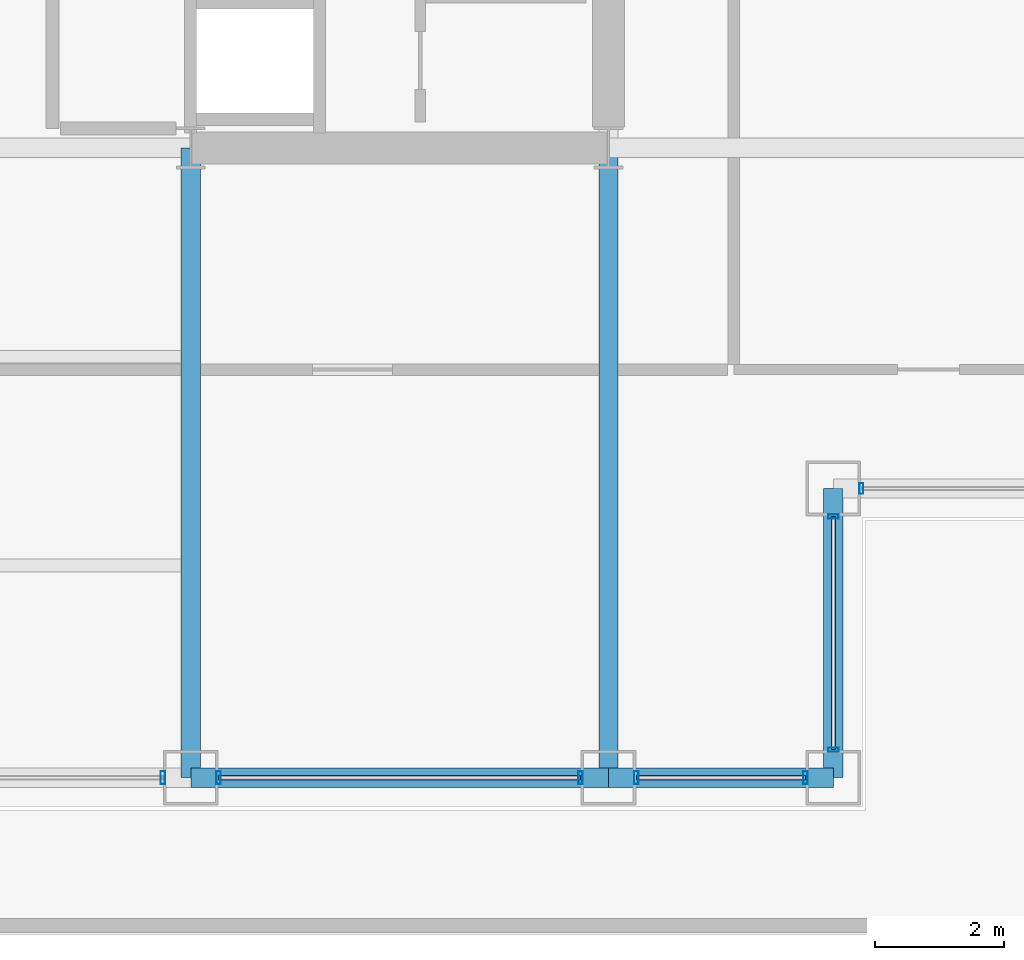
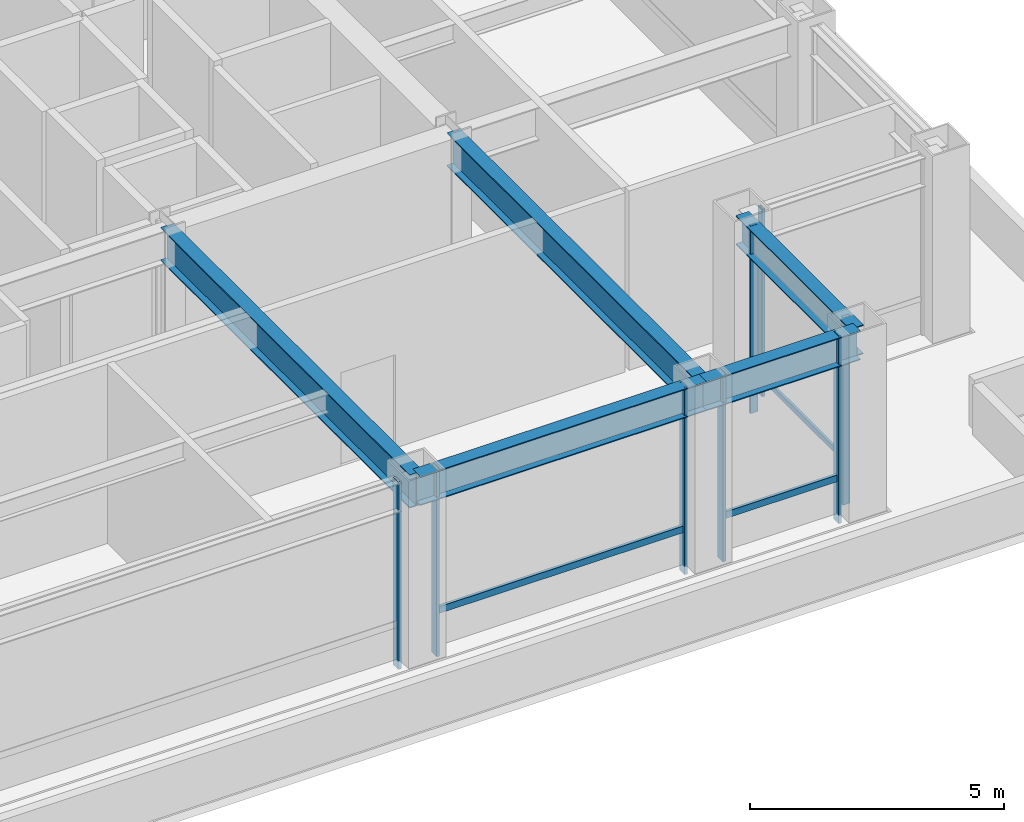
# One storey, part 11 of 32: 11 members, 5 beams, 5 elements without a shape of their own.
"""IFC4 building model written with IfcOpenShell, lengths in metres."""

from ifc_helpers import new_model, si_unit, direction, frame, origin, origin_2d, place, context, subcontext, project, spatial, hollow_rectangle, i_section, extrude, material, layer, layer_set, material_profile, profile_set, type_object, element, aggregate, save


model = new_model("IFC4")

# Units and contexts
model_context = context("Model", 3, precision=1e-05, world=origin(), true_north=direction((0.0, 1.0)))
body_context = subcontext(model_context, "Body", "Model", "MODEL_VIEW")
ifc_project = project(units=[si_unit("LENGTHUNIT", "METRE"), si_unit("AREAUNIT", "SQUARE_METRE"), si_unit("VOLUMEUNIT", "CUBIC_METRE"), si_unit("PLANEANGLEUNIT", "RADIAN"), si_unit("MASSUNIT", "GRAM", prefix="KILO")], contexts=[model_context])

# Site, building, storey
site_placement = place(None, origin())
site = spatial("IfcSite", under=ifc_project, at=site_placement, CompositionType="ELEMENT")
building_placement = place(site_placement, origin())
building = spatial("IfcBuilding", under=site, at=building_placement, Name="Brelmoor Portico Tower", CompositionType="ELEMENT")
storey_placement = place(building_placement, frame((0.0, 0.0, 87.300048828125)))
storey = spatial("IfcBuildingStorey", under=building, at=storey_placement, Name="L22", CompositionType="ELEMENT", Elevation=87.300048828125)

# Beams
ifc_material_1 = material(Name="Steel Q355B", Category="steel")
ifc_material_profile_1 = material_profile(ifc_material_1, i_section(OverallWidth=0.300048828125, OverallDepth=0.800048828125, WebThickness=0.013916015625, FlangeThickness=0.02587890625, at=origin_2d()), Name="HN 800x300x14x26")
ifc_profile_set_1 = profile_set([ifc_material_profile_1], Name="Steel Q355B")
beam_type_1 = type_object("IfcBeamType", Name="BM-PG-800", PredefinedType="BEAM", material=ifc_profile_set_1)
for number, where, z_axis, x_axis, name in (
    (1, (8.050048828125, -19.550048828125, 3.89990234375), (0.0, 1.0, 0.0), (-1.0, 0.0, 0.0), "L22 Primary Floor Girder PG-07"),
    (2, (14.550048828125, -19.550048828125, 3.89990234375), (0.0, 1.0, 0.0), (-1.0, 0.0, 0.0), "L22 Primary Floor Girder PG-09"),
):
    element("IfcBeam", number, at=place(storey_placement, frame(where, z_axis=z_axis, x_axis=x_axis)), inside=storey, type_object=beam_type_1, Name=name, PredefinedType="BEAM", context=body_context, shape_type="SweptSolid", body=[
        extrude(i_section(OverallWidth=0.300048828125, OverallDepth=0.800048828125, WebThickness=0.013916015625, FlangeThickness=0.02587890625, at=origin_2d()), origin(), (0.0, 0.0, 1.0), 9.800048828125),
    ])
ifc_material_profile_2 = material_profile(ifc_material_1, i_section(OverallWidth=0.300048828125, OverallDepth=0.699951171875, WebThickness=0.012939453125, FlangeThickness=0.02392578125, at=origin_2d()), Name="HN 700x300x13x24")
ifc_profile_set_2 = profile_set([ifc_material_profile_2], Name="Steel Q355B")
beam_type_2 = type_object("IfcBeamType", Name="BM-SP-700", PredefinedType="SPANDREL", material=ifc_profile_set_2)
beam_1_placement = place(storey_placement, frame((8.050048828125, -19.550048828125, 3.949951171875), z_axis=(1.0, 0.0, 0.0), x_axis=(0.0, 1.0, 0.0)))
element("IfcBeam", 3, at=beam_1_placement, inside=storey, type_object=beam_type_2, Name="L22 Perimeter Spandrel Beam SP-04", PredefinedType="SPANDREL", context=body_context, shape_type="SweptSolid", body=[
    extrude(i_section(OverallWidth=0.300048828125, OverallDepth=0.699951171875, WebThickness=0.012939453125, FlangeThickness=0.02392578125, at=origin_2d()), origin(), (0.0, 0.0, 1.0), 6.5),
])
beam_2_placement = place(storey_placement, frame((14.550048828125, -19.550048828125, 3.949951171875), z_axis=(1.0, 0.0, 0.0), x_axis=(0.0, 1.0, 0.0)))
element("IfcBeam", 4, at=beam_2_placement, inside=storey, type_object=beam_type_2, Name="L22 Perimeter Spandrel Beam SP-05", PredefinedType="SPANDREL", context=body_context, shape_type="SweptSolid", body=[
    extrude(i_section(OverallWidth=0.300048828125, OverallDepth=0.699951171875, WebThickness=0.012939453125, FlangeThickness=0.02392578125, at=origin_2d()), origin(), (0.0, 0.0, 1.0), 3.5),
])
beam_3_placement = place(storey_placement, frame((18.050048828125, -19.550048828125, 3.949951171875), z_axis=(0.0, 1.0, 0.0), x_axis=(-1.0, 0.0, 0.0)))
element("IfcBeam", 5, at=beam_3_placement, inside=storey, type_object=beam_type_2, Name="L22 Perimeter Spandrel Beam SP-20", PredefinedType="SPANDREL", context=body_context, shape_type="SweptSolid", body=[
    extrude(i_section(OverallWidth=0.300048828125, OverallDepth=0.699951171875, WebThickness=0.012939453125, FlangeThickness=0.02392578125, at=origin_2d()), origin(), (0.0, 0.0, 1.0), 4.5),
])

# Curtain wall, member
ifc_material_2 = material(Name="Anodised Aluminium Alloy 6063-T6", Category="aluminium")
ifc_layer_1 = layer(ifc_material_2, 0.179931640625)
ifc_layer_set_1 = layer_set([ifc_layer_1], Name="Anodised Aluminium Alloy 6063-T6")
curtain_wall_type_1 = type_object("IfcCurtainWallType", Name="CW-NOTCH-CHAMFER", PredefinedType="NOTDEFINED", material=ifc_layer_set_1)
curtain_wall_1_placement = place(storey_placement, origin())
curtain_wall_1 = element("IfcCurtainWall", 6, at=curtain_wall_1_placement, inside=storey, type_object=curtain_wall_type_1, Name="L22 Curtain Wall CWN-L22-SEH", PredefinedType="NOTDEFINED")
ifc_material_profile_3 = material_profile(ifc_material_2, hollow_rectangle(XDim=0.06494140625, YDim=0.1650390625, WallThickness=0.00390625, at=origin_2d()), Name="ALU MULLION 65x165")
ifc_profile_set_3 = profile_set([ifc_material_profile_3], Name="Anodised Aluminium Alloy 6063-T6")
member_type_1 = type_object("IfcMemberType", Name="MB-CW-MULL-165", PredefinedType="MULLION", material=ifc_profile_set_3)
member_1_placement = place(storey_placement, frame((18.485107421875, -15.050048828125, -0.199951171875), z_axis=(0.0, 0.0, 1.0), x_axis=(1.0, 0.0, 0.0)))
member_1 = element("IfcMember", 7, at=member_1_placement, type_object=member_type_1, Name="CWN-L22-SEH Mullion 00", PredefinedType="MULLION", context=body_context, shape_type="SweptSolid", body=[
    extrude(hollow_rectangle(XDim=0.06494140625, YDim=0.1650390625, WallThickness=0.00390625, at=origin_2d()), origin(), (0.0, 0.0, 1.0), 4.5),
])
aggregate(curtain_wall_1, [member_1])

# Curtain wall, members
curtain_wall_2_placement = place(storey_placement, origin())
curtain_wall_2 = element("IfcCurtainWall", 8, at=curtain_wall_2_placement, inside=storey, type_object=curtain_wall_type_1, Name="L22 Curtain Wall CWN-L22-SEV", PredefinedType="NOTDEFINED")
member_2_placement = place(storey_placement, frame((18.050048828125, -19.114990234375, -0.199951171875), z_axis=(0.0, 0.0, 1.0), x_axis=(0.0, 1.0, 0.0)))
member_2 = element("IfcMember", 9, at=member_2_placement, type_object=member_type_1, Name="CWN-L22-SEV Mullion 00", PredefinedType="MULLION", context=body_context, shape_type="SweptSolid", body=[
    extrude(hollow_rectangle(XDim=0.06494140625, YDim=0.1650390625, WallThickness=0.00390625, at=origin_2d()), origin(), (0.0, 0.0, 1.0), 4.5),
])
member_3_placement = place(storey_placement, frame((18.050048828125, -15.485107421875, -0.199951171875), z_axis=(0.0, 0.0, 1.0), x_axis=(0.0, 1.0, 0.0)))
member_3 = element("IfcMember", 10, at=member_3_placement, type_object=member_type_1, Name="CWN-L22-SEV Mullion 01", PredefinedType="MULLION", context=body_context, shape_type="SweptSolid", body=[
    extrude(hollow_rectangle(XDim=0.06494140625, YDim=0.1650390625, WallThickness=0.00390625, at=origin_2d()), origin(), (0.0, 0.0, 1.0), 4.5),
])

# Curtain wall, member
ifc_layer_2 = layer(ifc_material_2, 0.179931640625)
ifc_layer_set_2 = layer_set([ifc_layer_2], Name="Anodised Aluminium Alloy 6063-T6")
curtain_wall_type_2 = type_object("IfcCurtainWallType", Name="CW-SKYLOBBY", PredefinedType="NOTDEFINED", material=ifc_layer_set_2)
curtain_wall_3_placement = place(storey_placement, origin())
curtain_wall_3 = element("IfcCurtainWall", 11, at=curtain_wall_3_placement, inside=storey, type_object=curtain_wall_type_2, Name="L22 Curtain Wall CW-L22-01-3", PredefinedType="NOTDEFINED")
ifc_material_profile_4 = material_profile(ifc_material_2, hollow_rectangle(XDim=0.070068359375, YDim=0.199951171875, WallThickness=0.00439453125, at=origin_2d()), Name="ALU MULLION 70x200")
ifc_profile_set_4 = profile_set([ifc_material_profile_4], Name="Anodised Aluminium Alloy 6063-T6")
member_type_2 = type_object("IfcMemberType", Name="MB-CW-MULL-200", PredefinedType="MULLION", material=ifc_profile_set_4)
member_4_placement = place(storey_placement, frame((7.614990234375, -19.550048828125, -0.199951171875), z_axis=(0.0, 0.0, 1.0), x_axis=(1.0, 0.0, 0.0)))
member_4 = element("IfcMember", 12, at=member_4_placement, type_object=member_type_2, Name="CW-L22-01-3 Mullion 01", PredefinedType="MULLION", context=body_context, shape_type="SweptSolid", body=[
    extrude(hollow_rectangle(XDim=0.070068359375, YDim=0.199951171875, WallThickness=0.00439453125, at=origin_2d()), origin(), (0.0, 0.0, 1.0), 4.5),
])
aggregate(curtain_wall_3, [member_4])

# Curtain wall, members
curtain_wall_4_placement = place(storey_placement, origin())
curtain_wall_4 = element("IfcCurtainWall", 13, at=curtain_wall_4_placement, inside=storey, type_object=curtain_wall_type_2, Name="L22 Curtain Wall CW-L22-01-4", PredefinedType="NOTDEFINED")
member_5_placement = place(storey_placement, frame((8.485107421875, -19.550048828125, -0.199951171875), z_axis=(0.0, 0.0, 1.0), x_axis=(1.0, 0.0, 0.0)))
member_5 = element("IfcMember", 14, at=member_5_placement, type_object=member_type_2, Name="CW-L22-01-4 Mullion 00", PredefinedType="MULLION", context=body_context, shape_type="SweptSolid", body=[
    extrude(hollow_rectangle(XDim=0.070068359375, YDim=0.199951171875, WallThickness=0.00439453125, at=origin_2d()), origin(), (0.0, 0.0, 1.0), 4.5),
])
member_6_placement = place(storey_placement, frame((14.114990234375, -19.550048828125, -0.199951171875), z_axis=(0.0, 0.0, 1.0), x_axis=(1.0, 0.0, 0.0)))
member_6 = element("IfcMember", 15, at=member_6_placement, type_object=member_type_2, Name="CW-L22-01-4 Mullion 01", PredefinedType="MULLION", context=body_context, shape_type="SweptSolid", body=[
    extrude(hollow_rectangle(XDim=0.070068359375, YDim=0.199951171875, WallThickness=0.00439453125, at=origin_2d()), origin(), (0.0, 0.0, 1.0), 4.5),
])

curtain_wall_5_placement = place(storey_placement, origin())
curtain_wall_5 = element("IfcCurtainWall", 16, at=curtain_wall_5_placement, inside=storey, type_object=curtain_wall_type_2, Name="L22 Curtain Wall CW-L22-01-5", PredefinedType="NOTDEFINED")
member_7_placement = place(storey_placement, frame((14.985107421875, -19.550048828125, -0.199951171875), z_axis=(0.0, 0.0, 1.0), x_axis=(1.0, 0.0, 0.0)))
member_7 = element("IfcMember", 17, at=member_7_placement, type_object=member_type_2, Name="CW-L22-01-5 Mullion 00", PredefinedType="MULLION", context=body_context, shape_type="SweptSolid", body=[
    extrude(hollow_rectangle(XDim=0.070068359375, YDim=0.199951171875, WallThickness=0.00439453125, at=origin_2d()), origin(), (0.0, 0.0, 1.0), 4.5),
])
member_8_placement = place(storey_placement, frame((17.614990234375, -19.550048828125, -0.199951171875), z_axis=(0.0, 0.0, 1.0), x_axis=(1.0, 0.0, 0.0)))
member_8 = element("IfcMember", 18, at=member_8_placement, type_object=member_type_2, Name="CW-L22-01-5 Mullion 01", PredefinedType="MULLION", context=body_context, shape_type="SweptSolid", body=[
    extrude(hollow_rectangle(XDim=0.070068359375, YDim=0.199951171875, WallThickness=0.00439453125, at=origin_2d()), origin(), (0.0, 0.0, 1.0), 4.5),
])

# Member
ifc_material_profile_5 = material_profile(ifc_material_2, hollow_rectangle(XDim=0.06005859375, YDim=0.125, WallThickness=0.00341796875, at=origin_2d()), Name="ALU TRANSOM 60x125")
ifc_profile_set_5 = profile_set([ifc_material_profile_5], Name="Anodised Aluminium Alloy 6063-T6")
member_type_3 = type_object("IfcMemberType", Name="MB-CW-TRAN-125", PredefinedType="USERDEFINED", material=ifc_profile_set_5)
member_9_placement = place(storey_placement, frame((18.050048828125, -19.114990234375, 0.849853515625), z_axis=(0.0, 1.0, 0.0), x_axis=(-1.0, 0.0, 0.0)))
member_9 = element("IfcMember", 19, at=member_9_placement, type_object=member_type_3, Name="CWN-L22-SEV Transom 1-00", ObjectType="TRANSOM", PredefinedType="USERDEFINED", context=body_context, shape_type="SweptSolid", body=[
    extrude(hollow_rectangle(XDim=0.06005859375, YDim=0.125, WallThickness=0.00341796875, at=origin_2d()), origin(), (0.0, 0.0, 1.0), 3.6298828125),
])

aggregate(curtain_wall_2, [member_2, member_3, member_9])

ifc_material_profile_6 = material_profile(ifc_material_2, hollow_rectangle(XDim=0.070068359375, YDim=0.159912109375, WallThickness=0.00390625, at=origin_2d()), Name="ALU TRANSOM 70x160")
ifc_profile_set_6 = profile_set([ifc_material_profile_6], Name="Anodised Aluminium Alloy 6063-T6")
member_type_4 = type_object("IfcMemberType", Name="MB-CW-TRAN-160", PredefinedType="USERDEFINED", material=ifc_profile_set_6)
member_10_placement = place(storey_placement, frame((8.485107421875, -19.550048828125, 0.849853515625), z_axis=(1.0, 0.0, 0.0), x_axis=(0.0, 1.0, 0.0)))
member_10 = element("IfcMember", 20, at=member_10_placement, type_object=member_type_4, Name="CW-L22-01-4 Transom 1-00", ObjectType="TRANSOM", PredefinedType="USERDEFINED", context=body_context, shape_type="SweptSolid", body=[
    extrude(hollow_rectangle(XDim=0.070068359375, YDim=0.159912109375, WallThickness=0.00390625, at=origin_2d()), origin(), (0.0, 0.0, 1.0), 5.6298828125),
])

aggregate(curtain_wall_4, [member_5, member_6, member_10])

member_11_placement = place(storey_placement, frame((14.985107421875, -19.550048828125, 0.849853515625), z_axis=(1.0, 0.0, 0.0), x_axis=(0.0, 1.0, 0.0)))
member_11 = element("IfcMember", 21, at=member_11_placement, type_object=member_type_4, Name="CW-L22-01-5 Transom 1-00", ObjectType="TRANSOM", PredefinedType="USERDEFINED", context=body_context, shape_type="SweptSolid", body=[
    extrude(hollow_rectangle(XDim=0.070068359375, YDim=0.159912109375, WallThickness=0.00390625, at=origin_2d()), origin(), (0.0, 0.0, 1.0), 2.6298828125),
])

aggregate(curtain_wall_5, [member_7, member_8, member_11])

save(model, "model.ifc")
